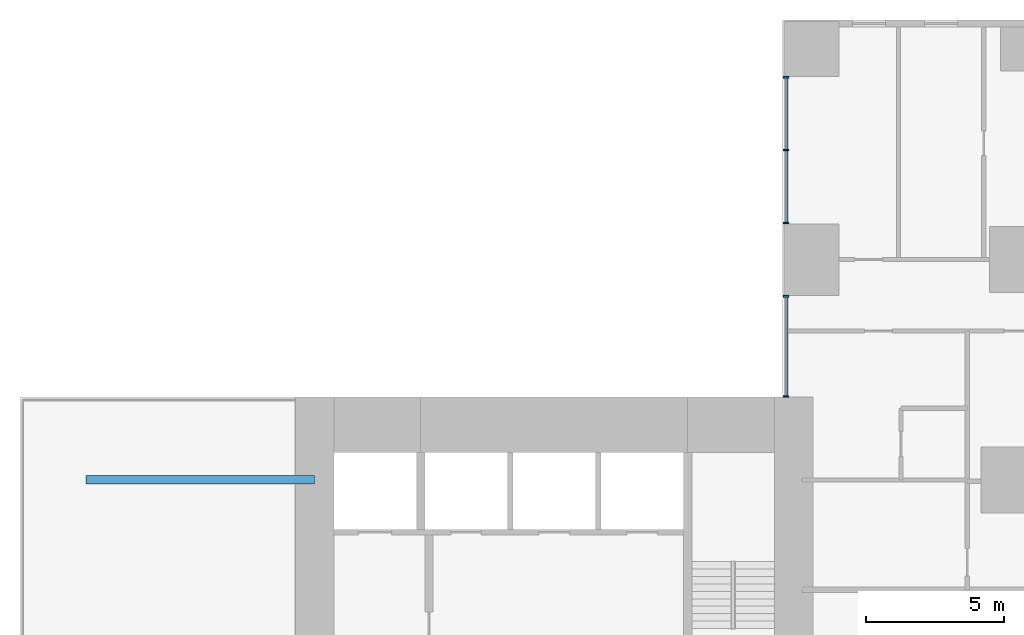
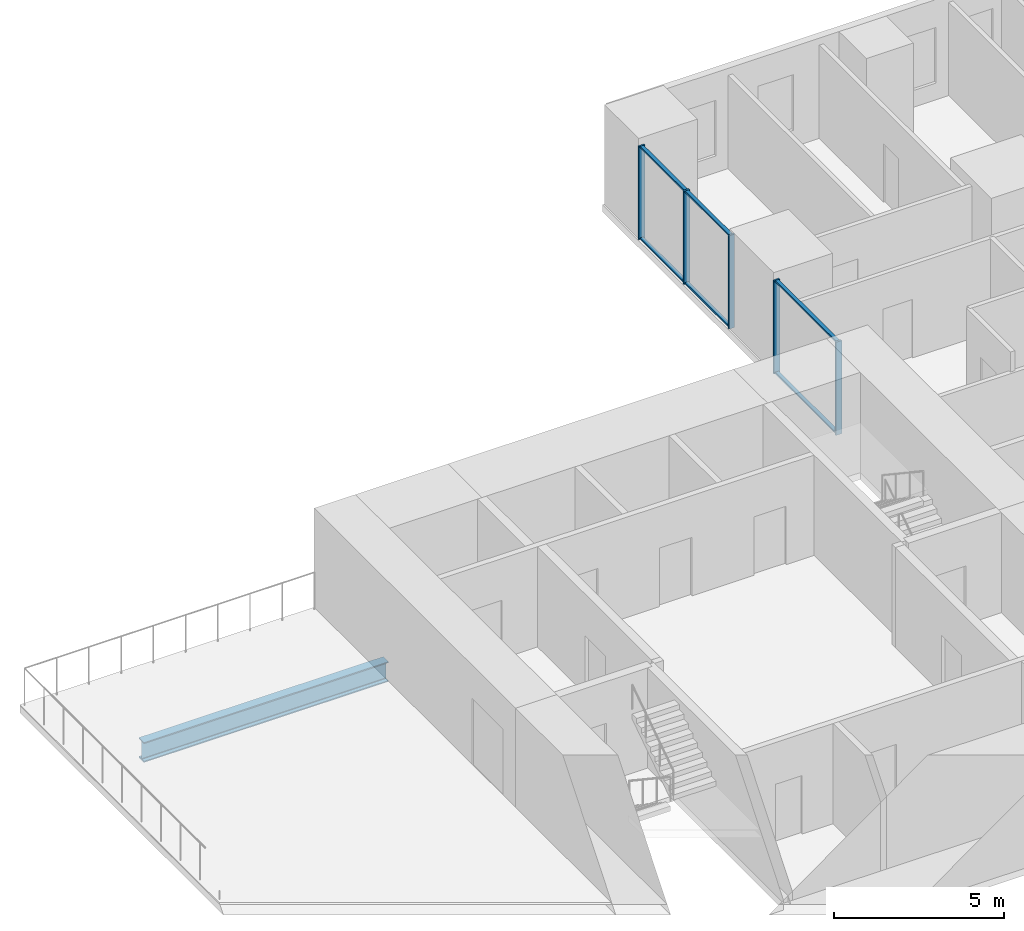
# One storey, part 4 of 14: 11 members, 1 beam, 2 elements without a shape of their own.
"""IFC4 building model written with IfcOpenShell, lengths in metres."""

from ifc_helpers import new_model, si_unit, direction, frame, origin, origin_2d, place, context, subcontext, project, spatial, rectangle, i_section, extrude, material, layer, layer_set, material_profile, profile_set, type_object, element, aggregate, save


model = new_model("IFC4")

# Units and contexts
model_context = context("Model", 3, precision=1e-05, world=origin(), true_north=direction((0.0, 1.0)))
body_context = subcontext(model_context, "Body", "Model", "MODEL_VIEW")
ifc_project = project(units=[si_unit("LENGTHUNIT", "METRE"), si_unit("AREAUNIT", "SQUARE_METRE"), si_unit("VOLUMEUNIT", "CUBIC_METRE"), si_unit("PLANEANGLEUNIT", "RADIAN"), si_unit("MASSUNIT", "GRAM", prefix="KILO")], contexts=[model_context])

# Site, building, storey
site_placement = place(None, origin())
site = spatial("IfcSite", under=ifc_project, at=site_placement, CompositionType="ELEMENT")
building_placement = place(site_placement, origin())
building = spatial("IfcBuilding", under=site, at=building_placement, Name="Cleftline Residences", CompositionType="ELEMENT")
storey_placement = place(building_placement, frame((0.0, 0.0, 230.39990234375)))
storey = spatial("IfcBuildingStorey", under=building, at=storey_placement, Name="L60", CompositionType="ELEMENT", Elevation=230.39990234375)

# Beam
ifc_material_1 = material(Name="Steel S355", Category="steel")
ifc_material_profile_1 = material_profile(ifc_material_1, i_section(OverallWidth=0.303955078125, OverallDepth=0.716064453125, WebThickness=0.02099609375, FlangeThickness=0.0400390625, FilletRadius=0.027099609375, at=origin_2d()))
ifc_profile_set_1 = profile_set([ifc_material_profile_1], Name="Steel S355")
beam_type = type_object("IfcBeamType", Name="BEAM HEM 700", PredefinedType="BEAM", material=ifc_profile_set_1)
beam_placement = place(storey_placement, frame((16.0, 32.0, -0.60791015625), z_axis=(1.0, 0.0, 0.0), x_axis=(0.0, 1.0, 0.0)))
element("IfcBeam", 1, at=beam_placement, inside=storey, type_object=beam_type, Name="Band beam", PredefinedType="BEAM", context=body_context, shape_type="SweptSolid", body=[
    extrude(i_section(OverallWidth=0.303955078125, OverallDepth=0.716064453125, WebThickness=0.02099609375, FlangeThickness=0.0400390625, FilletRadius=0.027099609375, at=origin_2d()), origin(), (0.0, 0.0, 1.0), 8.300048828125),
])

# Curtain wall, members
ifc_material_2 = material(Name="Aluminium framed curtain wall", Category="aluminium")
ifc_layer = layer(ifc_material_2, 0.199951171875)
ifc_layer_set = layer_set([ifc_layer], Name="CW1 CLEFT GLAZING")
curtain_wall_type = type_object("IfcCurtainWallType", Name="CW1 CLEFT GLAZING", PredefinedType="NOTDEFINED", material=ifc_layer_set)
curtain_wall_1_placement = place(storey_placement, origin())
curtain_wall_1 = element("IfcCurtainWall", 2, at=curtain_wall_1_placement, inside=storey, type_object=curtain_wall_type, Name="Curtain wall CW1", PredefinedType="NOTDEFINED")
ifc_material_3 = material(Name="Aluminium mullion", Category="aluminium")
ifc_material_profile_2 = material_profile(ifc_material_3, rectangle(XDim=0.199951171875, YDim=0.06005859375, at=origin_2d()))
ifc_profile_set_2 = profile_set([ifc_material_profile_2], Name="Aluminium mullion")
member_type_1 = type_object("IfcMemberType", Name="CW1 MULLION", PredefinedType="MULLION", material=ifc_profile_set_2)
member_1_placement = place(storey_placement, frame((41.425048828125, 46.6201171875, 0.0), z_axis=(0.0, 0.0, 1.0), x_axis=(1.0, 0.0, 0.0)))
member_1 = element("IfcMember", 3, at=member_1_placement, type_object=member_type_1, Name="CW1 mullion 1", PredefinedType="MULLION", context=body_context, shape_type="SweptSolid", body=[
    extrude(rectangle(XDim=0.199951171875, YDim=0.06005859375, at=origin_2d()), origin(), (0.0, 0.0, 1.0), 3.35009765625),
])
member_2_placement = place(storey_placement, frame((41.425048828125, 43.97509765625, 0.0), z_axis=(0.0, 0.0, 1.0), x_axis=(1.0, 0.0, 0.0)))
member_2 = element("IfcMember", 4, at=member_2_placement, type_object=member_type_1, Name="CW1 mullion 2", PredefinedType="MULLION", context=body_context, shape_type="SweptSolid", body=[
    extrude(rectangle(XDim=0.199951171875, YDim=0.06005859375, at=origin_2d()), origin(), (0.0, 0.0, 1.0), 3.35009765625),
])
member_3_placement = place(storey_placement, frame((41.425048828125, 41.330078125, 0.0), z_axis=(0.0, 0.0, 1.0), x_axis=(1.0, 0.0, 0.0)))
member_3 = element("IfcMember", 5, at=member_3_placement, type_object=member_type_1, Name="CW1 mullion 3", PredefinedType="MULLION", context=body_context, shape_type="SweptSolid", body=[
    extrude(rectangle(XDim=0.199951171875, YDim=0.06005859375, at=origin_2d()), origin(), (0.0, 0.0, 1.0), 3.35009765625),
])

curtain_wall_2_placement = place(storey_placement, origin())
curtain_wall_2 = element("IfcCurtainWall", 6, at=curtain_wall_2_placement, inside=storey, type_object=curtain_wall_type, Name="Curtain wall CW1", PredefinedType="NOTDEFINED")
member_4_placement = place(storey_placement, frame((41.425048828125, 38.669921875, 0.0), z_axis=(0.0, 0.0, 1.0), x_axis=(1.0, 0.0, 0.0)))
member_4 = element("IfcMember", 7, at=member_4_placement, type_object=member_type_1, Name="CW1 mullion 1", PredefinedType="MULLION", context=body_context, shape_type="SweptSolid", body=[
    extrude(rectangle(XDim=0.199951171875, YDim=0.06005859375, at=origin_2d()), origin(), (0.0, 0.0, 1.0), 3.35009765625),
])
member_5_placement = place(storey_placement, frame((41.425048828125, 35.030029296875, 0.0), z_axis=(0.0, 0.0, 1.0), x_axis=(1.0, 0.0, 0.0)))
member_5 = element("IfcMember", 8, at=member_5_placement, type_object=member_type_1, Name="CW1 mullion 2", PredefinedType="MULLION", context=body_context, shape_type="SweptSolid", body=[
    extrude(rectangle(XDim=0.199951171875, YDim=0.06005859375, at=origin_2d()), origin(), (0.0, 0.0, 1.0), 3.35009765625),
])

# Member
ifc_material_4 = material(Name="Aluminium transom", Category="aluminium")
ifc_material_profile_3 = material_profile(ifc_material_4, rectangle(XDim=0.1201171875, YDim=0.06005859375, at=origin_2d()))
ifc_profile_set_3 = profile_set([ifc_material_profile_3], Name="Aluminium transom")
member_type_2 = type_object("IfcMemberType", Name="CW1 TRANSOM", PredefinedType="USERDEFINED", material=ifc_profile_set_3)
member_6_placement = place(storey_placement, frame((41.425048828125, 46.590087890625, 0.030029296875), z_axis=(0.0, -1.0, 0.0), x_axis=(1.0, 0.0, 0.0)))
member_6 = element("IfcMember", 9, at=member_6_placement, type_object=member_type_2, Name="CW1 transom 1.1", ObjectType="TRANSOM", PredefinedType="USERDEFINED", context=body_context, shape_type="SweptSolid", body=[
    extrude(rectangle(XDim=0.1201171875, YDim=0.06005859375, at=origin_2d()), origin(), (0.0, 0.0, 1.0), 2.585205078125),
])

member_7_placement = place(storey_placement, frame((41.425048828125, 46.590087890625, 3.320068359375), z_axis=(0.0, -1.0, 0.0), x_axis=(1.0, 0.0, 0.0)))
member_7 = element("IfcMember", 10, at=member_7_placement, type_object=member_type_2, Name="CW1 transom 1.2", ObjectType="TRANSOM", PredefinedType="USERDEFINED", context=body_context, shape_type="SweptSolid", body=[
    extrude(rectangle(XDim=0.1201171875, YDim=0.06005859375, at=origin_2d()), origin(), (0.0, 0.0, 1.0), 2.585205078125),
])

member_8_placement = place(storey_placement, frame((41.425048828125, 43.945068359375, 0.030029296875), z_axis=(0.0, -1.0, 0.0), x_axis=(1.0, 0.0, 0.0)))
member_8 = element("IfcMember", 11, at=member_8_placement, type_object=member_type_2, Name="CW1 transom 2.1", ObjectType="TRANSOM", PredefinedType="USERDEFINED", context=body_context, shape_type="SweptSolid", body=[
    extrude(rectangle(XDim=0.1201171875, YDim=0.06005859375, at=origin_2d()), origin(), (0.0, 0.0, 1.0), 2.5849609375),
])

member_9_placement = place(storey_placement, frame((41.425048828125, 43.945068359375, 3.320068359375), z_axis=(0.0, -1.0, 0.0), x_axis=(1.0, 0.0, 0.0)))
member_9 = element("IfcMember", 12, at=member_9_placement, type_object=member_type_2, Name="CW1 transom 2.2", ObjectType="TRANSOM", PredefinedType="USERDEFINED", context=body_context, shape_type="SweptSolid", body=[
    extrude(rectangle(XDim=0.1201171875, YDim=0.06005859375, at=origin_2d()), origin(), (0.0, 0.0, 1.0), 2.5849609375),
])

aggregate(curtain_wall_1, [member_1, member_2, member_3, member_6, member_7, member_8, member_9])

member_10_placement = place(storey_placement, frame((41.425048828125, 38.639892578125, 0.030029296875), z_axis=(0.0, -1.0, 0.0), x_axis=(1.0, 0.0, 0.0)))
member_10 = element("IfcMember", 13, at=member_10_placement, type_object=member_type_2, Name="CW1 transom 1.1", ObjectType="TRANSOM", PredefinedType="USERDEFINED", context=body_context, shape_type="SweptSolid", body=[
    extrude(rectangle(XDim=0.1201171875, YDim=0.06005859375, at=origin_2d()), origin(), (0.0, 0.0, 1.0), 3.579833984375),
])

member_11_placement = place(storey_placement, frame((41.425048828125, 38.639892578125, 3.320068359375), z_axis=(0.0, -1.0, 0.0), x_axis=(1.0, 0.0, 0.0)))
member_11 = element("IfcMember", 14, at=member_11_placement, type_object=member_type_2, Name="CW1 transom 1.2", ObjectType="TRANSOM", PredefinedType="USERDEFINED", context=body_context, shape_type="SweptSolid", body=[
    extrude(rectangle(XDim=0.1201171875, YDim=0.06005859375, at=origin_2d()), origin(), (0.0, 0.0, 1.0), 3.579833984375),
])

aggregate(curtain_wall_2, [member_4, member_5, member_10, member_11])

save(model, "model.ifc")
